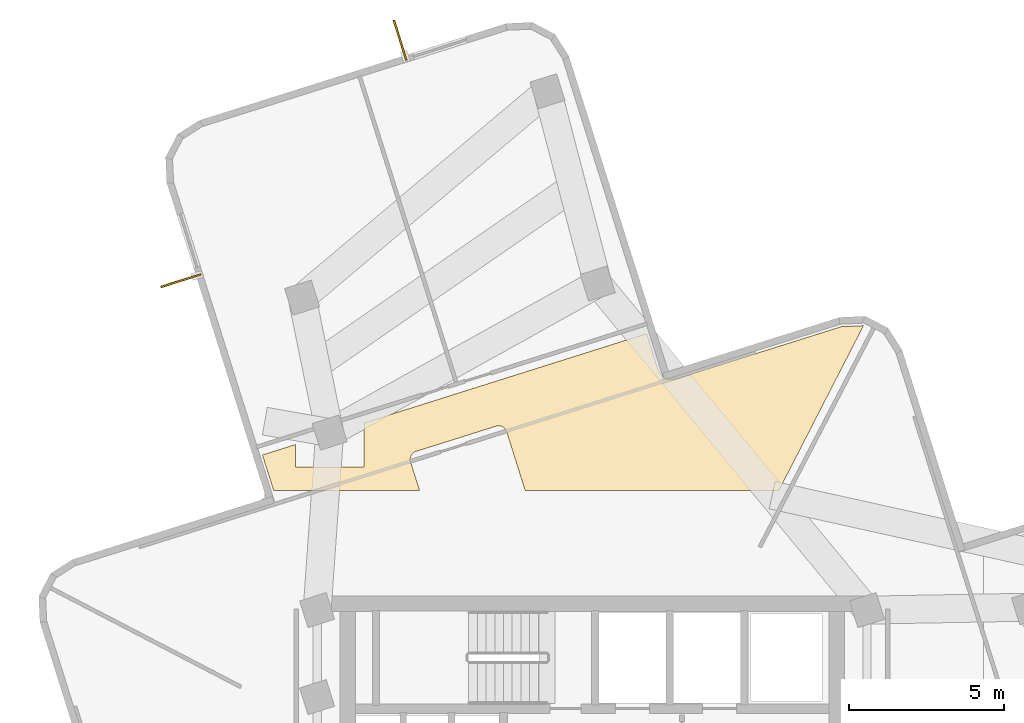
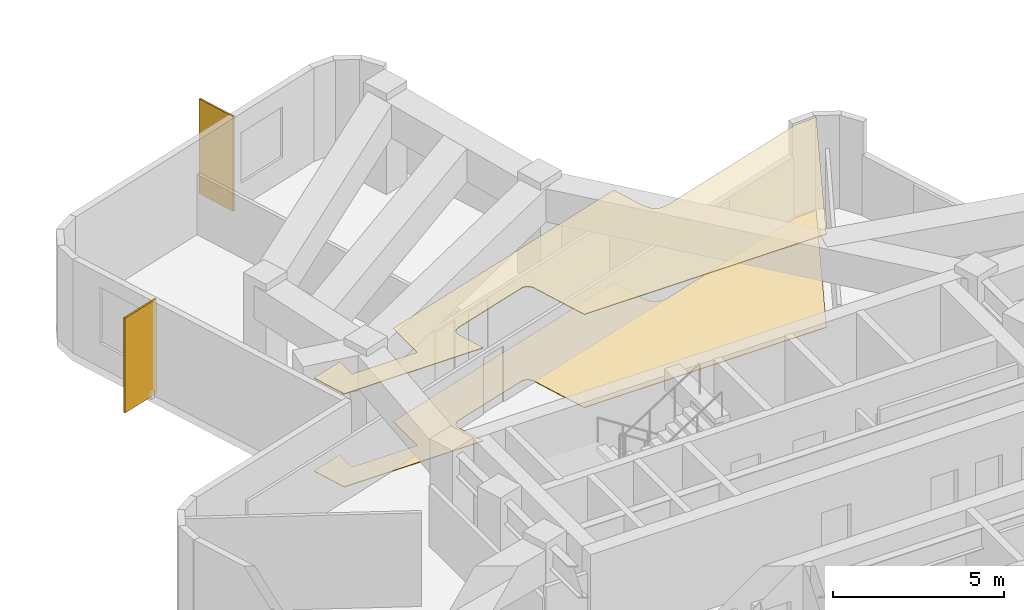
# One storey, part 8 of 8: 2 coverings, 2 shading devices.
"""IFC4 building model written with IfcOpenShell, lengths in metres."""

from ifc_helpers import new_model, si_unit, direction, frame, origin, origin_2d, place, context, subcontext, project, spatial, polyline, rectangle, outline, extrude, material, layer, layer_set, type_object, element, save


model = new_model("IFC4")

# Units and contexts
model_context = context("Model", 3, precision=1e-05, world=origin(), true_north=direction((0.0, 1.0)))
body_context = subcontext(model_context, "Body", "Model", "MODEL_VIEW")
ifc_project = project(units=[si_unit("LENGTHUNIT", "METRE"), si_unit("AREAUNIT", "SQUARE_METRE"), si_unit("VOLUMEUNIT", "CUBIC_METRE"), si_unit("PLANEANGLEUNIT", "RADIAN"), si_unit("MASSUNIT", "GRAM", prefix="KILO")], contexts=[model_context])

# Site, building, storey
site_placement = place(None, origin())
site = spatial("IfcSite", under=ifc_project, at=site_placement, CompositionType="ELEMENT")
building_placement = place(site_placement, origin())
building = spatial("IfcBuilding", under=site, at=building_placement, Name="Solmarez Civic Tower", CompositionType="ELEMENT")
storey_placement = place(building_placement, frame((0.0, 0.0, 152.280029296875)))
storey = spatial("IfcBuildingStorey", under=building, at=storey_placement, Name="L40", CompositionType="ELEMENT", Elevation=152.280029296875)

# Coverings
ifc_material_1 = material(Name="Perforated Mineral-Fibre Acoustic Ceiling")
ifc_layer_1 = layer(ifc_material_1, 0.02490234375)
ifc_layer_set_1 = layer_set([ifc_layer_1], Name="Perforated Mineral-Fibre Acoustic Ceiling")
covering_type_1 = type_object("IfcCoveringType", Name="COV-CEIL-ACOUSTIC", PredefinedType="CEILING", material=ifc_layer_set_1)
covering_1_placement = place(storey_placement, frame((0.0, 0.0, 3.31494140625)))
element("IfcCovering", 1, at=covering_1_placement, inside=storey, type_object=covering_type_1, Name="L40 Suspended Acoustic Ceiling 3", PredefinedType="CEILING", context=body_context, shape_type="SweptSolid", body=[
    extrude(outline(polyline([(-10.610107421875, 13.344970703125), (-10.260009765625, 12.239013671875), (-10.257080078125, 12.22607421875), (-10.2548828125, 12.219970703125), (-10.2509765625, 12.199951171875), (-5.550048828125, 12.199951171875), (-5.841064453125, 13.12109375), (-5.846923828125, 13.14404296875), (-5.847900390625, 13.14892578125), (-5.84912109375, 13.154052734375), (-5.85205078125, 13.175048828125), (-5.85302734375, 13.197021484375), (-5.85302734375, 13.2060546875), (-5.85205078125, 13.22802734375), (-5.84912109375, 13.2490234375), (-5.847900390625, 13.25390625), (-5.846923828125, 13.259033203125), (-5.842041015625, 13.279052734375), (-5.8349609375, 13.298095703125), (-5.8330078125, 13.302978515625), (-5.825927734375, 13.319091796875), (-5.822021484375, 13.326904296875), (-5.81201171875, 13.344970703125), (-5.798095703125, 13.364990234375), (-5.778076171875, 13.388916015625), (-5.77099609375, 13.39599609375), (-5.742919921875, 13.4189453125), (-5.72802734375, 13.429931640625), (-5.719970703125, 13.43505859375), (-5.702880859375, 13.444091796875), (-5.68505859375, 13.451904296875), (-5.679931640625, 13.4541015625), (-5.6640625, 13.4599609375), (-3.089111328125, 14.27197265625), (-3.06591796875, 14.278076171875), (-3.06103515625, 14.279052734375), (-3.055908203125, 14.280029296875), (-3.034912109375, 14.282958984375), (-3.012939453125, 14.283935546875), (-3.00390625, 14.283935546875), (-2.98193359375, 14.282958984375), (-2.9609375, 14.280029296875), (-2.9560546875, 14.279052734375), (-2.950927734375, 14.278076171875), (-2.927001953125, 14.27197265625), (-2.905029296875, 14.262939453125), (-2.89599609375, 14.259033203125), (-2.867919921875, 14.2451171875), (-2.860107421875, 14.239990234375), (-2.841064453125, 14.22607421875), (-2.824951171875, 14.212890625), (-2.81005859375, 14.197998046875), (-2.797119140625, 14.181884765625), (-2.791015625, 14.174072265625), (-2.780029296875, 14.158935546875), (-2.77490234375, 14.15087890625), (-2.76611328125, 14.134033203125), (-2.758056640625, 14.115966796875), (-2.756103515625, 14.111083984375), (-2.75, 14.094970703125), (-2.152099609375, 12.199951171875), (6.013916015625, 12.199951171875), (8.735107421875, 17.50390625), (8.72998046875, 17.507080078125), (8.02197265625, 17.47509765625), (2.748046875, 15.81103515625), (2.741943359375, 15.80908203125), (2.735107421875, 15.806884765625), (2.7109375, 15.802001953125), (2.705078125, 15.801025390625), (2.699951171875, 15.800048828125), (2.693115234375, 15.799072265625), (2.672119140625, 15.797119140625), (2.5, 15.7890625), (2.489990234375, 15.7890625), (2.48193359375, 15.7890625), (2.450927734375, 15.791015625), (2.444091796875, 15.7919921875), (2.422119140625, 15.797119140625), (2.4140625, 15.799072265625), (2.406982421875, 15.800048828125), (2.39990234375, 15.802001953125), (2.373046875, 15.81201171875), (2.365966796875, 15.81494140625), (2.35888671875, 15.818115234375), (2.341064453125, 15.826904296875), (2.323974609375, 15.8369140625), (2.318115234375, 15.841064453125), (2.299072265625, 15.85498046875), (2.29296875, 15.860107421875), (2.287109375, 15.864990234375), (2.27197265625, 15.8779296875), (2.259033203125, 15.89306640625), (2.25390625, 15.89892578125), (2.239990234375, 15.91796875), (2.23388671875, 15.927001953125), (2.14111328125, 16.072021484375), (2.12890625, 16.093017578125), (2.1259765625, 16.09912109375), (2.12109375, 16.110107421875), (2.117919921875, 16.116943359375), (2.111083984375, 16.134033203125), (2.10791015625, 16.14404296875), (1.759033203125, 17.25), (-7.344970703125, 14.3759765625), (-7.344970703125, 12.964111328125), (-9.544921875, 12.964111328125), (-9.544921875, 13.681884765625), (-10.610107421875, 13.344970703125)])), origin(), (0.0, 0.0, 1.0), 0.025146484375),
])
ifc_material_2 = material(Name="Polished Tropical Stone Terrazzo Flooring", Category="masonry")
ifc_layer_2 = layer(ifc_material_2, 0.02001953125)
ifc_layer_set_2 = layer_set([ifc_layer_2], Name="Polished Tropical Stone Terrazzo Flooring")
covering_type_2 = type_object("IfcCoveringType", Name="COV-FLOOR-TERRAZZO", PredefinedType="FLOORING", material=ifc_layer_set_2)
covering_2_placement = place(storey_placement, origin())
element("IfcCovering", 2, at=covering_2_placement, inside=storey, type_object=covering_type_2, Name="L40 Terrazzo Floor Finish 3", PredefinedType="FLOORING", context=body_context, shape_type="SweptSolid", body=[
    extrude(outline(polyline([(-10.610107421875, 13.344970703125), (-10.260009765625, 12.239013671875), (-10.257080078125, 12.22607421875), (-10.2548828125, 12.219970703125), (-10.2509765625, 12.199951171875), (-5.550048828125, 12.199951171875), (-5.841064453125, 13.12109375), (-5.846923828125, 13.14404296875), (-5.847900390625, 13.14892578125), (-5.84912109375, 13.154052734375), (-5.85205078125, 13.175048828125), (-5.85302734375, 13.197021484375), (-5.85302734375, 13.2060546875), (-5.85205078125, 13.22802734375), (-5.84912109375, 13.2490234375), (-5.847900390625, 13.25390625), (-5.846923828125, 13.259033203125), (-5.842041015625, 13.279052734375), (-5.8349609375, 13.298095703125), (-5.8330078125, 13.302978515625), (-5.825927734375, 13.319091796875), (-5.822021484375, 13.326904296875), (-5.81201171875, 13.344970703125), (-5.798095703125, 13.364990234375), (-5.778076171875, 13.388916015625), (-5.77099609375, 13.39599609375), (-5.742919921875, 13.4189453125), (-5.72802734375, 13.429931640625), (-5.719970703125, 13.43505859375), (-5.702880859375, 13.444091796875), (-5.68505859375, 13.451904296875), (-5.679931640625, 13.4541015625), (-5.6640625, 13.4599609375), (-3.089111328125, 14.27197265625), (-3.06591796875, 14.278076171875), (-3.06103515625, 14.279052734375), (-3.055908203125, 14.280029296875), (-3.034912109375, 14.282958984375), (-3.012939453125, 14.283935546875), (-3.00390625, 14.283935546875), (-2.98193359375, 14.282958984375), (-2.9609375, 14.280029296875), (-2.9560546875, 14.279052734375), (-2.950927734375, 14.278076171875), (-2.927001953125, 14.27197265625), (-2.905029296875, 14.262939453125), (-2.89599609375, 14.259033203125), (-2.867919921875, 14.2451171875), (-2.860107421875, 14.239990234375), (-2.841064453125, 14.22607421875), (-2.824951171875, 14.212890625), (-2.81005859375, 14.197998046875), (-2.797119140625, 14.181884765625), (-2.791015625, 14.174072265625), (-2.780029296875, 14.158935546875), (-2.77490234375, 14.15087890625), (-2.76611328125, 14.134033203125), (-2.758056640625, 14.115966796875), (-2.756103515625, 14.111083984375), (-2.75, 14.094970703125), (-2.152099609375, 12.199951171875), (6.013916015625, 12.199951171875), (8.735107421875, 17.50390625), (8.72998046875, 17.507080078125), (8.02197265625, 17.47509765625), (2.748046875, 15.81103515625), (2.741943359375, 15.80908203125), (2.735107421875, 15.806884765625), (2.7109375, 15.802001953125), (2.705078125, 15.801025390625), (2.699951171875, 15.800048828125), (2.693115234375, 15.799072265625), (2.672119140625, 15.797119140625), (2.5, 15.7890625), (2.489990234375, 15.7890625), (2.48193359375, 15.7890625), (2.450927734375, 15.791015625), (2.444091796875, 15.7919921875), (2.422119140625, 15.797119140625), (2.4140625, 15.799072265625), (2.406982421875, 15.800048828125), (2.39990234375, 15.802001953125), (2.373046875, 15.81201171875), (2.365966796875, 15.81494140625), (2.35888671875, 15.818115234375), (2.341064453125, 15.826904296875), (2.323974609375, 15.8369140625), (2.318115234375, 15.841064453125), (2.299072265625, 15.85498046875), (2.29296875, 15.860107421875), (2.287109375, 15.864990234375), (2.27197265625, 15.8779296875), (2.259033203125, 15.89306640625), (2.25390625, 15.89892578125), (2.239990234375, 15.91796875), (2.23388671875, 15.927001953125), (2.14111328125, 16.072021484375), (2.12890625, 16.093017578125), (2.1259765625, 16.09912109375), (2.12109375, 16.110107421875), (2.117919921875, 16.116943359375), (2.111083984375, 16.134033203125), (2.10791015625, 16.14404296875), (1.759033203125, 17.25), (-7.344970703125, 14.3759765625), (-7.344970703125, 12.964111328125), (-9.544921875, 12.964111328125), (-9.544921875, 13.681884765625), (-10.610107421875, 13.344970703125)])), origin(), (0.0, 0.0, 1.0), 0.02001953125),
])

# Shading devices
ifc_material_3 = material(Name="Bronze Anodised Aluminium EN AW-6063 T6", Category="aluminium")
ifc_layer_3 = layer(ifc_material_3, 0.06005859375)
ifc_layer_set_3 = layer_set([ifc_layer_3], Name="Bronze Anodised Aluminium EN AW-6063 T6")
shading_device_type = type_object("IfcShadingDeviceType", Name="FIN-BRONZE-Z34", PredefinedType="USERDEFINED", material=ifc_layer_set_3)
for number, where, z_axis, x_axis, name in (
    (3, (-13.236083984375, 18.9560546875, -0.0400390625), (0.0, 0.0, 1.0), (-0.953889986658, -0.300156448128, 0.0), "L40 Anodised Bronze Solar Fin FIN-L40-03"),
    (4, (-6.177978515625, 26.693115234375, -0.0400390625), (0.0, 0.0, 1.0), (-0.300173096603, 0.953884747795, 0.0), "L40 Anodised Bronze Solar Fin FIN-L40-04"),
):
    element("IfcShadingDevice", number, at=place(storey_placement, frame(where, z_axis=z_axis, x_axis=x_axis)), inside=storey, type_object=shading_device_type, Name=name, ObjectType="FIN", PredefinedType="USERDEFINED", context=body_context, shape_type="SweptSolid", body=[
        extrude(rectangle(XDim=1.35009765625, YDim=0.06005859375, at=origin_2d()), origin(), (0.0, 0.0, 1.0), 3.3798828125),
    ])

save(model, "model.ifc")
